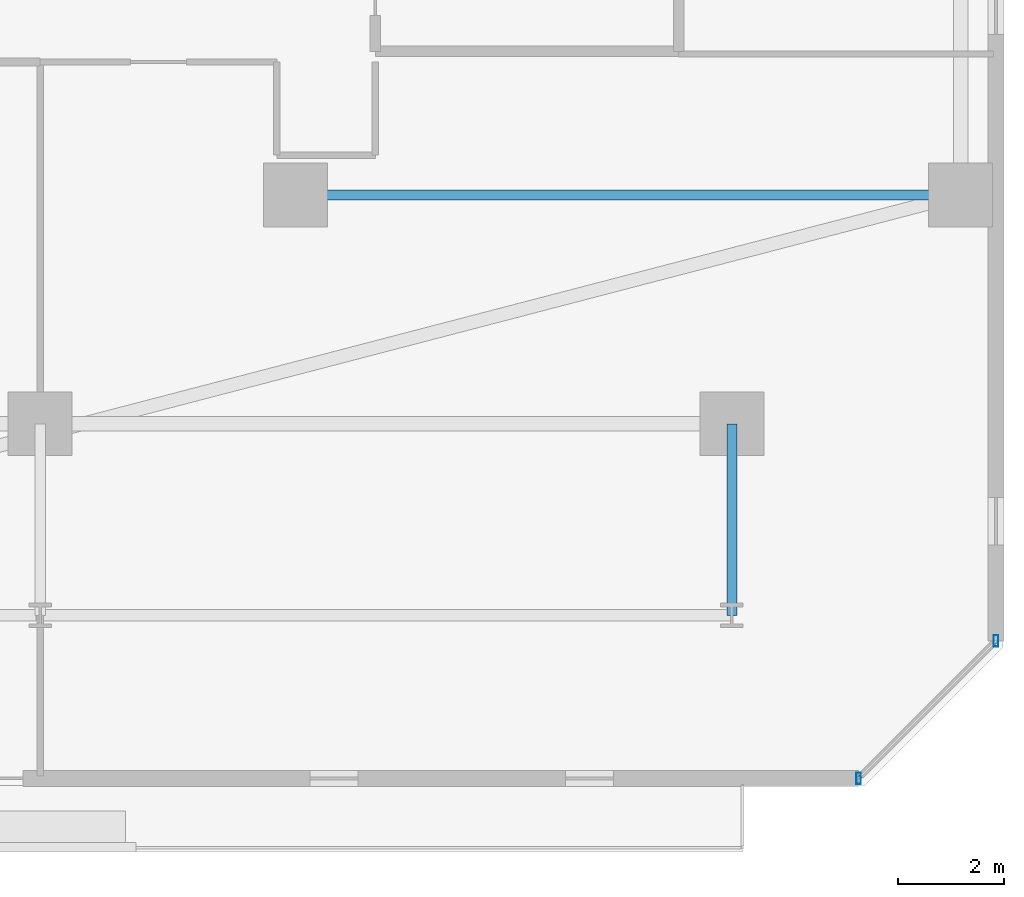
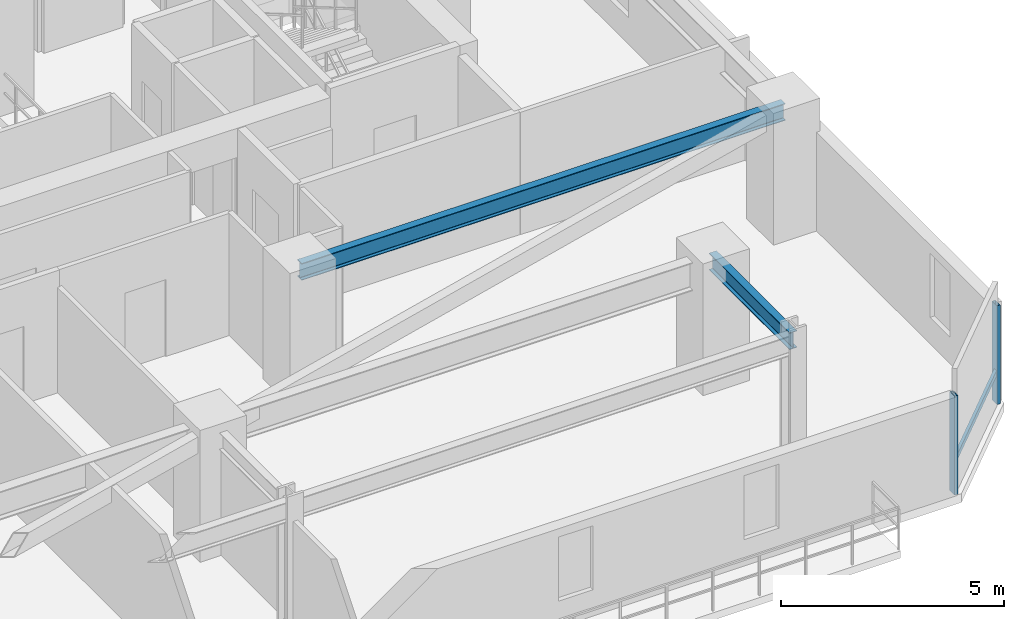
# One storey, part 13 of 33: 3 members, 2 beams, 1 element without a shape of its own.
"""IFC4 building model written with IfcOpenShell, lengths in metres."""

from ifc_helpers import new_model, si_unit, direction, frame, origin, origin_2d, place, context, subcontext, project, spatial, hollow_rectangle, i_section, extrude, material, material_profile, profile_set, type_object, element, aggregate, save


model = new_model("IFC4")

# Units and contexts
model_context = context("Model", 3, precision=1e-05, world=origin(), true_north=direction((0.0, 1.0)))
body_context = subcontext(model_context, "Body", "Model", "MODEL_VIEW")
ifc_project = project(units=[si_unit("LENGTHUNIT", "METRE"), si_unit("AREAUNIT", "SQUARE_METRE"), si_unit("VOLUMEUNIT", "CUBIC_METRE"), si_unit("PLANEANGLEUNIT", "RADIAN"), si_unit("MASSUNIT", "GRAM", prefix="KILO")], contexts=[model_context])

# Site, building, storey
site_placement = place(None, origin())
site = spatial("IfcSite", under=ifc_project, at=site_placement, CompositionType="ELEMENT")
building_placement = place(site_placement, origin())
building = spatial("IfcBuilding", under=site, at=building_placement, Name="Thornwick Lancets Civic Towers", CompositionType="ELEMENT")
storey_placement = place(building_placement, frame((0.0, 0.0, 108.89990234375)))
storey = spatial("IfcBuildingStorey", under=building, at=storey_placement, Name="L28", CompositionType="ELEMENT", Elevation=108.89990234375)

# Beams
ifc_material_1 = material(Name="Steel S355JR", Category="steel")
ifc_material_profile_1 = material_profile(ifc_material_1, i_section(OverallWidth=0.19189453125, OverallDepth=0.46337890625, WebThickness=0.010498046875, FlangeThickness=0.017578125, FilletRadius=0.01025390625, at=origin_2d()), Name="UKB 457x191x89")
ifc_profile_set_1 = profile_set([ifc_material_profile_1], Name="Steel S355JR")
beam_type = type_object("IfcBeamType", Name="BM_JOIST_457_89", PredefinedType="JOIST", material=ifc_profile_set_1)
beam_1_placement = place(storey_placement, frame((93.300048828125, 14.0, 3.12841796875), z_axis=(1.0, 0.0, 0.0), x_axis=(0.0, 1.0, 0.0)))
element("IfcBeam", 1, at=beam_1_placement, inside=storey, type_object=beam_type, Name="BM-RADIN-L28-B01", PredefinedType="JOIST", context=body_context, shape_type="SweptSolid", body=[
    extrude(i_section(OverallWidth=0.19189453125, OverallDepth=0.46337890625, WebThickness=0.010498046875, FlangeThickness=0.017578125, FilletRadius=0.01025390625, at=origin_2d()), origin(), (0.0, 0.0, 1.0), 12.5),
])
beam_2_placement = place(storey_placement, frame((101.5, 9.699951171875, 3.12841796875), z_axis=(0.0, -1.0, 0.0), x_axis=(1.0, 0.0, 0.0)))
element("IfcBeam", 2, at=beam_2_placement, inside=storey, type_object=beam_type, Name="BM-RAD-L28-B10", PredefinedType="JOIST", context=body_context, shape_type="SweptSolid", body=[
    extrude(i_section(OverallWidth=0.19189453125, OverallDepth=0.46337890625, WebThickness=0.010498046875, FlangeThickness=0.017578125, FilletRadius=0.01025390625, at=origin_2d()), origin(), (0.0, 0.0, 1.0), 3.599853515625),
])

# Curtain wall, members
ifc_material_2 = material(Name="Low-zone chamfered-corner unitised glass curtain wall", Category="glass")
curtain_wall_type = type_object("IfcCurtainWallType", Name="CW_SYS_03", PredefinedType="NOTDEFINED", material=ifc_material_2)
curtain_wall_placement = place(storey_placement, origin())
curtain_wall = element("IfcCurtainWall", 3, at=curtain_wall_placement, inside=storey, type_object=curtain_wall_type, Name="L28 Curtain Wall CW-L28-B-E1", PredefinedType="NOTDEFINED")
ifc_material_3 = material(Name="Thermally broken bronze aluminium S355", Category="steel")
ifc_material_profile_2 = material_profile(ifc_material_3, hollow_rectangle(XDim=0.090087890625, YDim=0.219970703125, WallThickness=0.00634765625, at=origin_2d()), Name="RHS 220x90x6.3")
ifc_profile_set_2 = profile_set([ifc_material_profile_2], Name="Thermally broken bronze aluminium S355")
member_type_1 = type_object("IfcMemberType", Name="CW_MUL_220", PredefinedType="MULLION", material=ifc_profile_set_2)
member_1_placement = place(storey_placement, frame((103.88134765625, 3.035400390625, 0.0), z_axis=(0.0, 0.0, 1.0), x_axis=(1.0, 0.0, 0.0)))
member_1 = element("IfcMember", 4, at=member_1_placement, type_object=member_type_1, Name="CW-L28-B-E1 Mullion 0", PredefinedType="MULLION", context=body_context, shape_type="SweptSolid", body=[
    extrude(hollow_rectangle(XDim=0.090087890625, YDim=0.219970703125, WallThickness=0.00634765625, at=origin_2d()), origin(), (0.0, 0.0, 1.0), 2.7001953125),
])
member_2_placement = place(storey_placement, frame((106.464599609375, 5.61865234375, 0.0), z_axis=(0.0, 0.0, 1.0), x_axis=(1.0, 0.0, 0.0)))
member_2 = element("IfcMember", 5, at=member_2_placement, type_object=member_type_1, Name="CW-L28-B-E1 Mullion 1", PredefinedType="MULLION", context=body_context, shape_type="SweptSolid", body=[
    extrude(hollow_rectangle(XDim=0.090087890625, YDim=0.219970703125, WallThickness=0.00634765625, at=origin_2d()), origin(), (0.0, 0.0, 1.0), 2.7001953125),
])
ifc_material_profile_3 = material_profile(ifc_material_3, hollow_rectangle(XDim=0.074951171875, YDim=0.14990234375, WallThickness=0.0048828125, at=origin_2d()), Name="RHS 150x75x5")
ifc_profile_set_3 = profile_set([ifc_material_profile_3], Name="Thermally broken bronze aluminium S355")
member_type_2 = type_object("IfcMemberType", Name="CW_TRN_150", PredefinedType="USERDEFINED", material=ifc_profile_set_3)
member_3_placement = place(storey_placement, frame((103.8955078125, 3.04931640625, 0.85009765625), z_axis=(0.707106781187, 0.707106781187, 0.0), x_axis=(-0.707106781187, 0.707106781187, 0.0)))
member_3 = element("IfcMember", 6, at=member_3_placement, type_object=member_type_2, Name="CW-L28-B-E1 Transom 0", ObjectType="TRANSOM", PredefinedType="USERDEFINED", context=body_context, shape_type="SweptSolid", body=[
    extrude(hollow_rectangle(XDim=0.074951171875, YDim=0.14990234375, WallThickness=0.0048828125, at=origin_2d()), origin(), (0.0, 0.0, 1.0), 3.613525390625),
])
aggregate(curtain_wall, [member_1, member_2, member_3])

save(model, "model.ifc")
